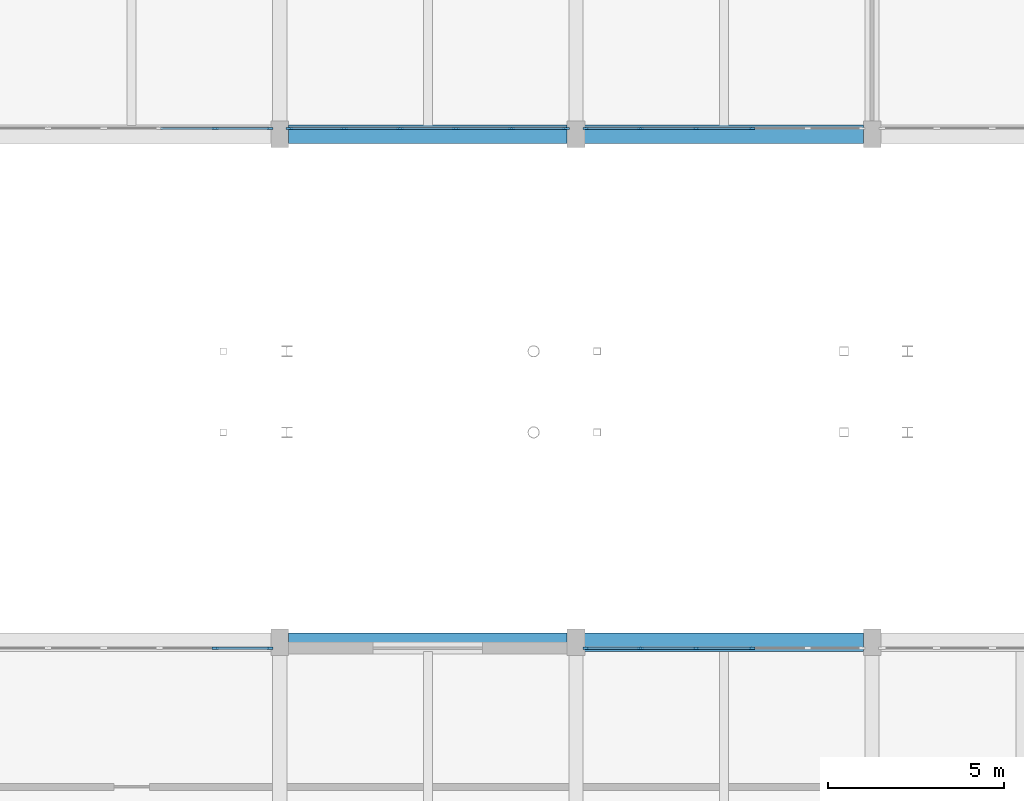
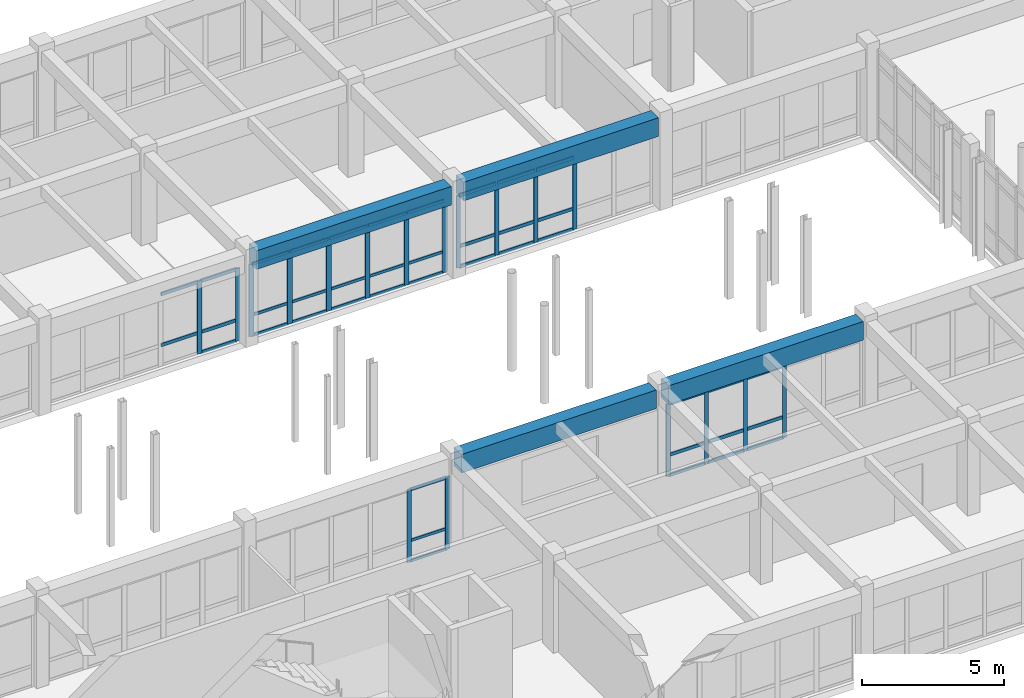
# One storey, part 58 of 147: 59 members, 4 beams, 5 elements without a shape of their own.
"""IFC4 building model written with IfcOpenShell, lengths in metres."""

import ifcopenshell
import ifcopenshell.guid

model = None  # the IFC model being written
_history = None  # IfcOwnerHistory: only IFC2X3 demands one
_inside = {}  # id of a spatial element -> (the spatial element, [elements in it])
_under = {}  # id of a project, library or spatial element -> (it, [spatial elements below it])
_declared = {}  # id of a project -> (the project, [libraries it declares])
_typed = {}  # id of a type object -> (the type object, [elements of that type])
_made_of = {}  # id of a material, layer set ... -> (it, [elements and type objects made of it])


def new_model(schema):
    """Start an empty IFC model of exactly this schema.

    Asked for "IFC4X3", IfcOpenShell would pick the latest addendum, in which some entities
    have other attributes; the version numbers below select the first issue.
    IFC2X3 requires an IfcOwnerHistory on every rooted entity: one is made here for all.
    """
    global model, _history
    if schema == "IFC4X3":
        model = ifcopenshell.file(schema_version=(4, 3, 0, 0))
    else:
        model = ifcopenshell.file(schema=schema)
    _inside.clear()
    _under.clear()
    _declared.clear()
    _typed.clear()
    _made_of.clear()
    _history = None
    if model.schema == "IFC2X3":
        org = make("IfcOrganization", Name="unknown")
        user = make(
            "IfcPersonAndOrganization",
            ThePerson=make("IfcPerson", FamilyName="unknown"),
            TheOrganization=org,
        )
        app = make(
            "IfcApplication",
            ApplicationDeveloper=org,
            Version="unknown",
            ApplicationFullName="unknown",
            ApplicationIdentifier="unknown",
        )
        _history = make(
            "IfcOwnerHistory",
            OwningUser=user,
            OwningApplication=app,
            ChangeAction="ADDED",
            CreationDate=0,
        )
    return model


def make(cls, **values):
    """One entity of the class cls with the attributes given. An attribute that is None is left unset."""
    return model.create_entity(
        cls, **{name: value for name, value in values.items() if value is not None}
    )


def rooted(cls, **values):
    """An entity with a GlobalId (a new one), such as an element, a storey or a relation."""
    return make(cls, GlobalId=ifcopenshell.guid.new(), OwnerHistory=_history, **values)


def si_unit(unit_type, name, prefix=None):
    """IfcSIUnit, for example si_unit("LENGTHUNIT", "METRE", prefix="MILLI")."""
    return make("IfcSIUnit", UnitType=unit_type, Prefix=prefix, Name=name)


def assignment(units):
    """IfcUnitAssignment: the units of a project."""
    return None if units is None else make("IfcUnitAssignment", Units=units)


def point(xyz):
    """IfcCartesianPoint."""
    return None if xyz is None else make("IfcCartesianPoint", Coordinates=xyz)


def direction(xyz):
    """IfcDirection."""
    return None if xyz is None else make("IfcDirection", DirectionRatios=xyz)


def frame(location, z_axis=None, x_axis=None):
    """IfcAxis2Placement3D, a coordinate frame: its origin and axes. An axis left out is left unset."""
    return make(
        "IfcAxis2Placement3D",
        Location=point(location),
        Axis=direction(z_axis),
        RefDirection=direction(x_axis),
    )


def frame_2d(location, x_axis=None):
    """IfcAxis2Placement2D, a coordinate frame in the plane: its origin and x axis."""
    return make(
        "IfcAxis2Placement2D", Location=point(location), RefDirection=direction(x_axis)
    )


def origin():
    """The frame at (0, 0, 0) with its axes left unset."""
    return frame((0.0, 0.0, 0.0))


def origin_2d():
    """The frame at (0, 0) in the plane with its x axis left unset."""
    return frame_2d((0.0, 0.0))


def place(relative_to, where):
    """IfcLocalPlacement: puts the frame where relative to a parent placement (None: the world)."""
    return make(
        "IfcLocalPlacement", PlacementRelTo=relative_to, RelativePlacement=where
    )


def context(
    kind, dimensions, precision=None, world=None, true_north=None, identifier=None
):
    """IfcGeometricRepresentationContext, for example the 3D "Model" context."""
    return make(
        "IfcGeometricRepresentationContext",
        ContextIdentifier=identifier,
        ContextType=kind,
        CoordinateSpaceDimension=dimensions,
        Precision=precision,
        WorldCoordinateSystem=world,
        TrueNorth=true_north,
    )


def subcontext(parent, identifier, kind, view, scale=None):
    """IfcGeometricRepresentationSubContext, for example "Body" below "Model"."""
    return make(
        "IfcGeometricRepresentationSubContext",
        ContextIdentifier=identifier,
        ContextType=kind,
        ParentContext=parent,
        TargetScale=scale,
        TargetView=view,
    )


def project(units=None, contexts=None):
    """IfcProject with its units and contexts."""
    return rooted(
        "IfcProject",
        Name="project",
        RepresentationContexts=contexts,
        UnitsInContext=assignment(units),
    )


def spatial(cls, under=None, at=None, **own):
    """A site, building, storey or space (cls), placed at a placement, below another one or the project."""
    s = rooted(cls, ObjectPlacement=at, **own)
    if under is not None:
        _under.setdefault(under.id(), (under, []))[1].append(s)
    return s


def profile(cls, at=None, kind="AREA", **sizes):
    """A parametric profile (cls). Its sizes go by their IFC names, for example OverallWidth=200.0."""
    return make(cls, ProfileType=kind, Position=at, **sizes)


def rectangle(**sizes):
    """IfcRectangleProfileDef."""
    return profile("IfcRectangleProfileDef", **sizes)


def extrude(swept, where, along, depth):
    """IfcExtrudedAreaSolid: the profile swept, set in the frame where, extruded along a direction by depth."""
    return make(
        "IfcExtrudedAreaSolid",
        SweptArea=swept,
        Position=where,
        ExtrudedDirection=direction(along),
        Depth=depth,
    )


def shape(context_of_items, identifier, shape_type, items):
    """IfcShapeRepresentation: the items that make up one representation, for example the "Body"."""
    return make(
        "IfcShapeRepresentation",
        ContextOfItems=context_of_items,
        RepresentationIdentifier=identifier,
        RepresentationType=shape_type,
        Items=items,
    )


def material(Name=None, Category=None):
    """IfcMaterial."""
    return make("IfcMaterial", Name=Name, Category=Category)


def material_profile(
    of_material, cross_section, Name=None, Category=None, Priority=None
):
    """IfcMaterialProfile: a cross section and its material."""
    return make(
        "IfcMaterialProfile",
        Name=Name,
        Material=of_material,
        Profile=cross_section,
        Priority=Priority,
        Category=Category,
    )


def profile_set(profiles, Name=None, composite=None):
    """IfcMaterialProfileSet."""
    return make(
        "IfcMaterialProfileSet",
        Name=Name,
        MaterialProfiles=profiles,
        CompositeProfile=composite,
    )


def made_of(thing, what):
    """Note that an element or type object is made of a material, layer set ...; save() writes the relation."""
    if what is not None:
        _made_of.setdefault(what.id(), (what, []))[1].append(thing)
    return thing


def type_object(cls, material=None, **own):
    """A type object (cls), such as IfcWallType, which elements share."""
    return made_of(rooted(cls, **own), material)


def element(
    cls,
    number,
    at=None,
    inside=None,
    cuts=None,
    type_object=None,
    material=None,
    context=None,
    identifier="Body",
    shape_type=None,
    held_by="IfcProductDefinitionShape",
    body=None,
    shapes=None,
    **own,
):
    """One element of the class cls, such as IfcWall. Its Tag is "e" and its number.

    at: its placement. inside: the storey or other place that contains it. cuts: it is an
    opening in that element (IfcRelVoidsElement). A single representation is given by context,
    identifier, shape_type and body (its items); several are given by shapes. held_by: the class
    of the entity that holds the representations. save() writes the other relations.
    """
    e = rooted(cls, Tag="e%d" % number, ObjectPlacement=at, **own)
    if body is not None:
        shapes = [shape(context, identifier, shape_type, body)]
    if shapes is not None:
        e.Representation = make(held_by, Representations=shapes)
    if inside is not None:
        _inside.setdefault(inside.id(), (inside, []))[1].append(e)
    if cuts is not None:
        rooted(
            "IfcRelVoidsElement", RelatingBuildingElement=cuts, RelatedOpeningElement=e
        )
    if type_object is not None:
        _typed.setdefault(type_object.id(), (type_object, []))[1].append(e)
    return made_of(e, material)


def aggregate(whole, parts):
    """IfcRelAggregates: a whole, such as a stair, and the parts it consists of."""
    return rooted("IfcRelAggregates", RelatingObject=whole, RelatedObjects=parts)


def save(model, path):
    """Write the relations noted so far, then the file.

    IfcRelAggregates (storeys below a building ...), IfcRelContainedInSpatialStructure (elements
    in a storey), IfcRelDefinesByType, IfcRelAssociatesMaterial and IfcRelDeclares: one each for
    every whole, place, type object, material and project.
    """
    for whole, parts in _under.values():
        aggregate(whole, parts)
    for where, things in _inside.values():
        rooted(
            "IfcRelContainedInSpatialStructure",
            RelatedElements=things,
            RelatingStructure=where,
        )
    for kind, things in _typed.values():
        rooted("IfcRelDefinesByType", RelatedObjects=things, RelatingType=kind)
    for what, things in _made_of.values():
        rooted("IfcRelAssociatesMaterial", RelatedObjects=things, RelatingMaterial=what)
    for by, libraries in _declared.values():
        rooted("IfcRelDeclares", RelatingContext=by, RelatedDefinitions=libraries)
    model.write(path)


model = new_model("IFC4")

# Units and contexts
model_context = context("Model", 3, precision=1e-05, world=origin(), true_north=direction((0.0, 1.0)))
body_context = subcontext(model_context, "Body", "Model", "MODEL_VIEW")
ifc_project = project(units=[si_unit("LENGTHUNIT", "METRE"), si_unit("AREAUNIT", "SQUARE_METRE"), si_unit("VOLUMEUNIT", "CUBIC_METRE"), si_unit("PLANEANGLEUNIT", "RADIAN"), si_unit("MASSUNIT", "GRAM", prefix="KILO")], contexts=[model_context])

# Site, building, storey
site_placement = place(None, origin())
site = spatial("IfcSite", under=ifc_project, at=site_placement, CompositionType="ELEMENT")
building_placement = place(site_placement, origin())
building = spatial("IfcBuilding", under=site, at=building_placement, Name="Malvenik Polytechnic", CompositionType="ELEMENT")
storey_placement = place(building_placement, frame((0.0, 0.0, 5.10009765625)))
storey = spatial("IfcBuildingStorey", under=building, at=storey_placement, Name="L01", CompositionType="ELEMENT", Elevation=5.10009765625)

# Curtain wall, members
ifc_material_1 = material(Name="Anodised aluminium 6060-T6", Category="aluminium")
curtain_wall_type = type_object("IfcCurtainWallType", Name="ARC-CW-CW-02", PredefinedType="NOTDEFINED", material=ifc_material_1)
curtain_wall_1_placement = place(storey_placement, origin())
curtain_wall_1 = element("IfcCurtainWall", 1, at=curtain_wall_1_placement, inside=storey, type_object=curtain_wall_type, Name="Unitised Curtain Wall CW-02 L01 #26", PredefinedType="NOTDEFINED")
ifc_material_2 = material(Name="Anodised aluminium", Category="aluminium")
ifc_material_profile_1 = material_profile(ifc_material_2, rectangle(XDim=0.06005859375, YDim=0.159912109375, at=origin_2d()), Name="ALU MULLION 60x160")
ifc_profile_set_1 = profile_set([ifc_material_profile_1], Name="Anodised aluminium")
member_type_1 = type_object("IfcMemberType", Name="ARC-CWM-160", PredefinedType="MULLION", material=ifc_profile_set_1)
member_1_placement = place(storey_placement, frame((63.790283203125, 79.3701171875, 0.0), z_axis=(0.0, 0.0, 1.0), x_axis=(0.0, -1.0, 0.0)))
member_1 = element("IfcMember", 2, at=member_1_placement, type_object=member_type_1, Name="CW-02 mullion 3", PredefinedType="MULLION", context=body_context, shape_type="SweptSolid", body=[
    extrude(rectangle(XDim=0.06005859375, YDim=0.159912109375, at=origin_2d()), origin(), (0.0, 0.0, 1.0), 3.10986328125),
])
member_2_placement = place(storey_placement, frame((62.209716796875, 79.3701171875, 0.0), z_axis=(0.0, 0.0, 1.0), x_axis=(0.0, -1.0, 0.0)))
member_2 = element("IfcMember", 3, at=member_2_placement, type_object=member_type_1, Name="CW-02 mullion 4", PredefinedType="MULLION", context=body_context, shape_type="SweptSolid", body=[
    extrude(rectangle(XDim=0.06005859375, YDim=0.159912109375, at=origin_2d()), origin(), (0.0, 0.0, 1.0), 3.10986328125),
])
member_3_placement = place(storey_placement, frame((60.62890625, 79.3701171875, 0.0), z_axis=(0.0, 0.0, 1.0), x_axis=(0.0, -1.0, 0.0)))
member_3 = element("IfcMember", 4, at=member_3_placement, type_object=member_type_1, Name="CW-02 mullion 5", PredefinedType="MULLION", context=body_context, shape_type="SweptSolid", body=[
    extrude(rectangle(XDim=0.06005859375, YDim=0.159912109375, at=origin_2d()), origin(), (0.0, 0.0, 1.0), 3.10986328125),
])
member_4_placement = place(storey_placement, frame((59.077880859375, 79.3701171875, 0.0), z_axis=(0.0, 0.0, 1.0), x_axis=(0.0, -1.0, 0.0)))
member_4 = element("IfcMember", 5, at=member_4_placement, type_object=member_type_1, Name="CW-02 mullion 6", PredefinedType="MULLION", context=body_context, shape_type="SweptSolid", body=[
    extrude(rectangle(XDim=0.06005859375, YDim=0.159912109375, at=origin_2d()), origin(), (0.0, 0.0, 1.0), 3.10986328125),
])

curtain_wall_2_placement = place(storey_placement, origin())
curtain_wall_2 = element("IfcCurtainWall", 6, at=curtain_wall_2_placement, inside=storey, type_object=curtain_wall_type, Name="Unitised Curtain Wall CW-02 L01 #128", PredefinedType="NOTDEFINED")
member_5_placement = place(storey_placement, frame((59.077880859375, 64.6298828125, 0.0), z_axis=(0.0, 0.0, 1.0), x_axis=(0.0, 1.0, 0.0)))
member_5 = element("IfcMember", 7, at=member_5_placement, type_object=member_type_1, Name="CW-02 mullion 1", PredefinedType="MULLION", context=body_context, shape_type="SweptSolid", body=[
    extrude(rectangle(XDim=0.06005859375, YDim=0.159912109375, at=origin_2d()), origin(), (0.0, 0.0, 1.0), 3.10986328125),
])
member_6_placement = place(storey_placement, frame((60.62890625, 64.6298828125, 0.0), z_axis=(0.0, 0.0, 1.0), x_axis=(0.0, 1.0, 0.0)))
member_6 = element("IfcMember", 8, at=member_6_placement, type_object=member_type_1, Name="CW-02 mullion 2", PredefinedType="MULLION", context=body_context, shape_type="SweptSolid", body=[
    extrude(rectangle(XDim=0.06005859375, YDim=0.159912109375, at=origin_2d()), origin(), (0.0, 0.0, 1.0), 3.10986328125),
])
member_7_placement = place(storey_placement, frame((62.209716796875, 64.6298828125, 0.0), z_axis=(0.0, 0.0, 1.0), x_axis=(0.0, 1.0, 0.0)))
member_7 = element("IfcMember", 9, at=member_7_placement, type_object=member_type_1, Name="CW-02 mullion 3", PredefinedType="MULLION", context=body_context, shape_type="SweptSolid", body=[
    extrude(rectangle(XDim=0.06005859375, YDim=0.159912109375, at=origin_2d()), origin(), (0.0, 0.0, 1.0), 3.10986328125),
])
member_8_placement = place(storey_placement, frame((63.790283203125, 64.6298828125, 0.0), z_axis=(0.0, 0.0, 1.0), x_axis=(0.0, 1.0, 0.0)))
member_8 = element("IfcMember", 10, at=member_8_placement, type_object=member_type_1, Name="CW-02 mullion 4", PredefinedType="MULLION", context=body_context, shape_type="SweptSolid", body=[
    extrude(rectangle(XDim=0.06005859375, YDim=0.159912109375, at=origin_2d()), origin(), (0.0, 0.0, 1.0), 3.10986328125),
])

curtain_wall_3_placement = place(storey_placement, origin())
curtain_wall_3 = element("IfcCurtainWall", 11, at=curtain_wall_3_placement, inside=storey, type_object=curtain_wall_type, Name="Unitised Curtain Wall CW-02 L01 #28", PredefinedType="NOTDEFINED")
ifc_material_profile_2 = material_profile(ifc_material_2, rectangle(XDim=0.06005859375, YDim=0.179931640625, at=origin_2d()), Name="ALU MULLION 60x180")
ifc_profile_set_2 = profile_set([ifc_material_profile_2], Name="Anodised aluminium")
member_type_2 = type_object("IfcMemberType", Name="ARC-CWM-180", PredefinedType="MULLION", material=ifc_profile_set_2)
member_9_placement = place(storey_placement, frame((50.1220703125, 79.3701171875, 0.0), z_axis=(0.0, 0.0, 1.0), x_axis=(0.0, -1.0, 0.0)))
member_9 = element("IfcMember", 12, at=member_9_placement, type_object=member_type_2, Name="CW-02 mullion 1", PredefinedType="MULLION", context=body_context, shape_type="SweptSolid", body=[
    extrude(rectangle(XDim=0.06005859375, YDim=0.179931640625, at=origin_2d()), origin(), (0.0, 0.0, 1.0), 3.10986328125),
])
member_10_placement = place(storey_placement, frame((48.5712890625, 79.3701171875, 0.0), z_axis=(0.0, 0.0, 1.0), x_axis=(0.0, -1.0, 0.0)))
member_10 = element("IfcMember", 13, at=member_10_placement, type_object=member_type_2, Name="CW-02 mullion 2", PredefinedType="MULLION", context=body_context, shape_type="SweptSolid", body=[
    extrude(rectangle(XDim=0.06005859375, YDim=0.179931640625, at=origin_2d()), origin(), (0.0, 0.0, 1.0), 3.10986328125),
])

curtain_wall_4_placement = place(storey_placement, origin())
curtain_wall_4 = element("IfcCurtainWall", 14, at=curtain_wall_4_placement, inside=storey, type_object=curtain_wall_type, Name="Unitised Curtain Wall CW-02 L01 #127", PredefinedType="NOTDEFINED")
member_11_placement = place(storey_placement, frame((48.5712890625, 64.6298828125, 0.0), z_axis=(0.0, 0.0, 1.0), x_axis=(0.0, 1.0, 0.0)))
member_11 = element("IfcMember", 15, at=member_11_placement, type_object=member_type_2, Name="CW-02 mullion 5", PredefinedType="MULLION", context=body_context, shape_type="SweptSolid", body=[
    extrude(rectangle(XDim=0.06005859375, YDim=0.179931640625, at=origin_2d()), origin(), (0.0, 0.0, 1.0), 3.10986328125),
])
member_12_placement = place(storey_placement, frame((50.1220703125, 64.6298828125, 0.0), z_axis=(0.0, 0.0, 1.0), x_axis=(0.0, 1.0, 0.0)))
member_12 = element("IfcMember", 16, at=member_12_placement, type_object=member_type_2, Name="CW-02 mullion 6", PredefinedType="MULLION", context=body_context, shape_type="SweptSolid", body=[
    extrude(rectangle(XDim=0.06005859375, YDim=0.179931640625, at=origin_2d()), origin(), (0.0, 0.0, 1.0), 3.10986328125),
])

curtain_wall_5_placement = place(storey_placement, origin())
curtain_wall_5 = element("IfcCurtainWall", 17, at=curtain_wall_5_placement, inside=storey, type_object=curtain_wall_type, Name="Unitised Curtain Wall CW-02 L01 #27", PredefinedType="NOTDEFINED")
ifc_material_profile_3 = material_profile(ifc_material_2, rectangle(XDim=0.06005859375, YDim=0.199951171875, at=origin_2d()), Name="ALU MULLION 60x200")
ifc_profile_set_3 = profile_set([ifc_material_profile_3], Name="Anodised aluminium")
member_type_3 = type_object("IfcMemberType", Name="ARC-CWM-200", PredefinedType="MULLION", material=ifc_profile_set_3)
member_13_placement = place(storey_placement, frame((58.52197265625, 79.3701171875, 0.0), z_axis=(0.0, 0.0, 1.0), x_axis=(0.0, -1.0, 0.0)))
member_13 = element("IfcMember", 18, at=member_13_placement, type_object=member_type_3, Name="CW-02 mullion 1", PredefinedType="MULLION", context=body_context, shape_type="SweptSolid", body=[
    extrude(rectangle(XDim=0.06005859375, YDim=0.199951171875, at=origin_2d()), origin(), (0.0, 0.0, 1.0), 3.10986328125),
])
member_14_placement = place(storey_placement, frame((56.97119140625, 79.3701171875, 0.0), z_axis=(0.0, 0.0, 1.0), x_axis=(0.0, -1.0, 0.0)))
member_14 = element("IfcMember", 19, at=member_14_placement, type_object=member_type_3, Name="CW-02 mullion 2", PredefinedType="MULLION", context=body_context, shape_type="SweptSolid", body=[
    extrude(rectangle(XDim=0.06005859375, YDim=0.199951171875, at=origin_2d()), origin(), (0.0, 0.0, 1.0), 3.10986328125),
])
member_15_placement = place(storey_placement, frame((55.390380859375, 79.3701171875, 0.0), z_axis=(0.0, 0.0, 1.0), x_axis=(0.0, -1.0, 0.0)))
member_15 = element("IfcMember", 20, at=member_15_placement, type_object=member_type_3, Name="CW-02 mullion 3", PredefinedType="MULLION", context=body_context, shape_type="SweptSolid", body=[
    extrude(rectangle(XDim=0.06005859375, YDim=0.199951171875, at=origin_2d()), origin(), (0.0, 0.0, 1.0), 3.10986328125),
])
member_16_placement = place(storey_placement, frame((53.8095703125, 79.3701171875, 0.0), z_axis=(0.0, 0.0, 1.0), x_axis=(0.0, -1.0, 0.0)))
member_16 = element("IfcMember", 21, at=member_16_placement, type_object=member_type_3, Name="CW-02 mullion 4", PredefinedType="MULLION", context=body_context, shape_type="SweptSolid", body=[
    extrude(rectangle(XDim=0.06005859375, YDim=0.199951171875, at=origin_2d()), origin(), (0.0, 0.0, 1.0), 3.10986328125),
])
member_17_placement = place(storey_placement, frame((52.228759765625, 79.3701171875, 0.0), z_axis=(0.0, 0.0, 1.0), x_axis=(0.0, -1.0, 0.0)))
member_17 = element("IfcMember", 22, at=member_17_placement, type_object=member_type_3, Name="CW-02 mullion 5", PredefinedType="MULLION", context=body_context, shape_type="SweptSolid", body=[
    extrude(rectangle(XDim=0.06005859375, YDim=0.199951171875, at=origin_2d()), origin(), (0.0, 0.0, 1.0), 3.10986328125),
])
member_18_placement = place(storey_placement, frame((50.677978515625, 79.3701171875, 0.0), z_axis=(0.0, 0.0, 1.0), x_axis=(0.0, -1.0, 0.0)))
member_18 = element("IfcMember", 23, at=member_18_placement, type_object=member_type_3, Name="CW-02 mullion 6", PredefinedType="MULLION", context=body_context, shape_type="SweptSolid", body=[
    extrude(rectangle(XDim=0.06005859375, YDim=0.199951171875, at=origin_2d()), origin(), (0.0, 0.0, 1.0), 3.10986328125),
])
ifc_material_profile_4 = material_profile(ifc_material_2, rectangle(XDim=0.06005859375, YDim=0.1201171875, at=origin_2d()), Name="ALU TRANSOM 60x120")
ifc_profile_set_4 = profile_set([ifc_material_profile_4], Name="Anodised aluminium")
member_type_4 = type_object("IfcMemberType", Name="ARC-CWT-120", PredefinedType="USERDEFINED", material=ifc_profile_set_4)
member_19_placement = place(storey_placement, frame((58.491943359375, 79.3701171875, 0.02978515625), z_axis=(-1.0, 0.0, 0.0), x_axis=(0.0, -1.0, 0.0)))
member_19 = element("IfcMember", 24, at=member_19_placement, type_object=member_type_4, Name="CW-02 transom 1.1", ObjectType="TRANSOM", PredefinedType="USERDEFINED", context=body_context, shape_type="SweptSolid", body=[
    extrude(rectangle(XDim=0.06005859375, YDim=0.1201171875, at=origin_2d()), origin(), (0.0, 0.0, 1.0), 1.49072265625),
])
member_20_placement = place(storey_placement, frame((58.491943359375, 79.3701171875, 0.89990234375), z_axis=(-1.0, 0.0, 0.0), x_axis=(0.0, -1.0, 0.0)))
member_20 = element("IfcMember", 25, at=member_20_placement, type_object=member_type_4, Name="CW-02 transom 1.2", ObjectType="TRANSOM", PredefinedType="USERDEFINED", context=body_context, shape_type="SweptSolid", body=[
    extrude(rectangle(XDim=0.06005859375, YDim=0.1201171875, at=origin_2d()), origin(), (0.0, 0.0, 1.0), 1.49072265625),
])
member_21_placement = place(storey_placement, frame((58.491943359375, 79.3701171875, 3.079833984375), z_axis=(-1.0, 0.0, 0.0), x_axis=(0.0, -1.0, 0.0)))
member_21 = element("IfcMember", 26, at=member_21_placement, type_object=member_type_4, Name="CW-02 transom 1.3", ObjectType="TRANSOM", PredefinedType="USERDEFINED", context=body_context, shape_type="SweptSolid", body=[
    extrude(rectangle(XDim=0.06005859375, YDim=0.1201171875, at=origin_2d()), origin(), (0.0, 0.0, 1.0), 1.49072265625),
])
member_22_placement = place(storey_placement, frame((56.941162109375, 79.3701171875, 0.02978515625), z_axis=(-1.0, 0.0, 0.0), x_axis=(0.0, -1.0, 0.0)))
member_22 = element("IfcMember", 27, at=member_22_placement, type_object=member_type_4, Name="CW-02 transom 2.1", ObjectType="TRANSOM", PredefinedType="USERDEFINED", context=body_context, shape_type="SweptSolid", body=[
    extrude(rectangle(XDim=0.06005859375, YDim=0.1201171875, at=origin_2d()), origin(), (0.0, 0.0, 1.0), 1.520751953125),
])
member_23_placement = place(storey_placement, frame((56.941162109375, 79.3701171875, 0.89990234375), z_axis=(-1.0, 0.0, 0.0), x_axis=(0.0, -1.0, 0.0)))
member_23 = element("IfcMember", 28, at=member_23_placement, type_object=member_type_4, Name="CW-02 transom 2.2", ObjectType="TRANSOM", PredefinedType="USERDEFINED", context=body_context, shape_type="SweptSolid", body=[
    extrude(rectangle(XDim=0.06005859375, YDim=0.1201171875, at=origin_2d()), origin(), (0.0, 0.0, 1.0), 1.520751953125),
])
member_24_placement = place(storey_placement, frame((56.941162109375, 79.3701171875, 3.079833984375), z_axis=(-1.0, 0.0, 0.0), x_axis=(0.0, -1.0, 0.0)))
member_24 = element("IfcMember", 29, at=member_24_placement, type_object=member_type_4, Name="CW-02 transom 2.3", ObjectType="TRANSOM", PredefinedType="USERDEFINED", context=body_context, shape_type="SweptSolid", body=[
    extrude(rectangle(XDim=0.06005859375, YDim=0.1201171875, at=origin_2d()), origin(), (0.0, 0.0, 1.0), 1.520751953125),
])
member_25_placement = place(storey_placement, frame((55.3603515625, 79.3701171875, 0.02978515625), z_axis=(-1.0, 0.0, 0.0), x_axis=(0.0, -1.0, 0.0)))
member_25 = element("IfcMember", 30, at=member_25_placement, type_object=member_type_4, Name="CW-02 transom 3.1", ObjectType="TRANSOM", PredefinedType="USERDEFINED", context=body_context, shape_type="SweptSolid", body=[
    extrude(rectangle(XDim=0.06005859375, YDim=0.1201171875, at=origin_2d()), origin(), (0.0, 0.0, 1.0), 1.520751953125),
])
member_26_placement = place(storey_placement, frame((55.3603515625, 79.3701171875, 0.89990234375), z_axis=(-1.0, 0.0, 0.0), x_axis=(0.0, -1.0, 0.0)))
member_26 = element("IfcMember", 31, at=member_26_placement, type_object=member_type_4, Name="CW-02 transom 3.2", ObjectType="TRANSOM", PredefinedType="USERDEFINED", context=body_context, shape_type="SweptSolid", body=[
    extrude(rectangle(XDim=0.06005859375, YDim=0.1201171875, at=origin_2d()), origin(), (0.0, 0.0, 1.0), 1.520751953125),
])
member_27_placement = place(storey_placement, frame((55.3603515625, 79.3701171875, 3.079833984375), z_axis=(-1.0, 0.0, 0.0), x_axis=(0.0, -1.0, 0.0)))
member_27 = element("IfcMember", 32, at=member_27_placement, type_object=member_type_4, Name="CW-02 transom 3.3", ObjectType="TRANSOM", PredefinedType="USERDEFINED", context=body_context, shape_type="SweptSolid", body=[
    extrude(rectangle(XDim=0.06005859375, YDim=0.1201171875, at=origin_2d()), origin(), (0.0, 0.0, 1.0), 1.520751953125),
])
member_28_placement = place(storey_placement, frame((53.779541015625, 79.3701171875, 0.02978515625), z_axis=(-1.0, 0.0, 0.0), x_axis=(0.0, -1.0, 0.0)))
member_28 = element("IfcMember", 33, at=member_28_placement, type_object=member_type_4, Name="CW-02 transom 4.1", ObjectType="TRANSOM", PredefinedType="USERDEFINED", context=body_context, shape_type="SweptSolid", body=[
    extrude(rectangle(XDim=0.06005859375, YDim=0.1201171875, at=origin_2d()), origin(), (0.0, 0.0, 1.0), 1.520751953125),
])
member_29_placement = place(storey_placement, frame((53.779541015625, 79.3701171875, 0.89990234375), z_axis=(-1.0, 0.0, 0.0), x_axis=(0.0, -1.0, 0.0)))
member_29 = element("IfcMember", 34, at=member_29_placement, type_object=member_type_4, Name="CW-02 transom 4.2", ObjectType="TRANSOM", PredefinedType="USERDEFINED", context=body_context, shape_type="SweptSolid", body=[
    extrude(rectangle(XDim=0.06005859375, YDim=0.1201171875, at=origin_2d()), origin(), (0.0, 0.0, 1.0), 1.520751953125),
])
member_30_placement = place(storey_placement, frame((53.779541015625, 79.3701171875, 3.079833984375), z_axis=(-1.0, 0.0, 0.0), x_axis=(0.0, -1.0, 0.0)))
member_30 = element("IfcMember", 35, at=member_30_placement, type_object=member_type_4, Name="CW-02 transom 4.3", ObjectType="TRANSOM", PredefinedType="USERDEFINED", context=body_context, shape_type="SweptSolid", body=[
    extrude(rectangle(XDim=0.06005859375, YDim=0.1201171875, at=origin_2d()), origin(), (0.0, 0.0, 1.0), 1.520751953125),
])
member_31_placement = place(storey_placement, frame((52.19873046875, 79.3701171875, 0.02978515625), z_axis=(-1.0, 0.0, 0.0), x_axis=(0.0, -1.0, 0.0)))
member_31 = element("IfcMember", 36, at=member_31_placement, type_object=member_type_4, Name="CW-02 transom 5.1", ObjectType="TRANSOM", PredefinedType="USERDEFINED", context=body_context, shape_type="SweptSolid", body=[
    extrude(rectangle(XDim=0.06005859375, YDim=0.1201171875, at=origin_2d()), origin(), (0.0, 0.0, 1.0), 1.49072265625),
])
member_32_placement = place(storey_placement, frame((52.19873046875, 79.3701171875, 0.89990234375), z_axis=(-1.0, 0.0, 0.0), x_axis=(0.0, -1.0, 0.0)))
member_32 = element("IfcMember", 37, at=member_32_placement, type_object=member_type_4, Name="CW-02 transom 5.2", ObjectType="TRANSOM", PredefinedType="USERDEFINED", context=body_context, shape_type="SweptSolid", body=[
    extrude(rectangle(XDim=0.06005859375, YDim=0.1201171875, at=origin_2d()), origin(), (0.0, 0.0, 1.0), 1.49072265625),
])
member_33_placement = place(storey_placement, frame((52.19873046875, 79.3701171875, 3.079833984375), z_axis=(-1.0, 0.0, 0.0), x_axis=(0.0, -1.0, 0.0)))
member_33 = element("IfcMember", 38, at=member_33_placement, type_object=member_type_4, Name="CW-02 transom 5.3", ObjectType="TRANSOM", PredefinedType="USERDEFINED", context=body_context, shape_type="SweptSolid", body=[
    extrude(rectangle(XDim=0.06005859375, YDim=0.1201171875, at=origin_2d()), origin(), (0.0, 0.0, 1.0), 1.49072265625),
])
aggregate(curtain_wall_5, [member_13, member_14, member_15, member_16, member_17, member_18, member_19, member_20, member_21, member_22, member_23, member_24, member_25, member_26, member_27, member_28, member_29, member_30, member_31, member_32, member_33])

# Member
member_34_placement = place(storey_placement, frame((48.601318359375, 64.6298828125, 0.02978515625), z_axis=(1.0, 0.0, 0.0), x_axis=(0.0, 1.0, 0.0)))
member_34 = element("IfcMember", 39, at=member_34_placement, type_object=member_type_4, Name="CW-02 transom 5.1", ObjectType="TRANSOM", PredefinedType="USERDEFINED", context=body_context, shape_type="SweptSolid", body=[
    extrude(rectangle(XDim=0.06005859375, YDim=0.1201171875, at=origin_2d()), origin(), (0.0, 0.0, 1.0), 1.49072265625),
])

member_35_placement = place(storey_placement, frame((48.601318359375, 64.6298828125, 0.89990234375), z_axis=(1.0, 0.0, 0.0), x_axis=(0.0, 1.0, 0.0)))
member_35 = element("IfcMember", 40, at=member_35_placement, type_object=member_type_4, Name="CW-02 transom 5.2", ObjectType="TRANSOM", PredefinedType="USERDEFINED", context=body_context, shape_type="SweptSolid", body=[
    extrude(rectangle(XDim=0.06005859375, YDim=0.1201171875, at=origin_2d()), origin(), (0.0, 0.0, 1.0), 1.49072265625),
])

member_36_placement = place(storey_placement, frame((48.601318359375, 64.6298828125, 3.079833984375), z_axis=(1.0, 0.0, 0.0), x_axis=(0.0, 1.0, 0.0)))
member_36 = element("IfcMember", 41, at=member_36_placement, type_object=member_type_4, Name="CW-02 transom 5.3", ObjectType="TRANSOM", PredefinedType="USERDEFINED", context=body_context, shape_type="SweptSolid", body=[
    extrude(rectangle(XDim=0.06005859375, YDim=0.1201171875, at=origin_2d()), origin(), (0.0, 0.0, 1.0), 1.49072265625),
])

aggregate(curtain_wall_4, [member_11, member_12, member_34, member_35, member_36])

ifc_material_profile_5 = material_profile(ifc_material_2, rectangle(XDim=0.06005859375, YDim=0.139892578125, at=origin_2d()), Name="ALU TRANSOM 60x140")
ifc_profile_set_5 = profile_set([ifc_material_profile_5], Name="Anodised aluminium")
member_type_5 = type_object("IfcMemberType", Name="ARC-CWT-140", PredefinedType="USERDEFINED", material=ifc_profile_set_5)
member_37_placement = place(storey_placement, frame((63.760498046875, 79.3701171875, 0.02978515625), z_axis=(-1.0, 0.0, 0.0), x_axis=(0.0, -1.0, 0.0)))
member_37 = element("IfcMember", 42, at=member_37_placement, type_object=member_type_5, Name="CW-02 transom 3.1", ObjectType="TRANSOM", PredefinedType="USERDEFINED", context=body_context, shape_type="SweptSolid", body=[
    extrude(rectangle(XDim=0.06005859375, YDim=0.139892578125, at=origin_2d()), origin(), (0.0, 0.0, 1.0), 1.52099609375),
])

member_38_placement = place(storey_placement, frame((63.760498046875, 79.3701171875, 0.89990234375), z_axis=(-1.0, 0.0, 0.0), x_axis=(0.0, -1.0, 0.0)))
member_38 = element("IfcMember", 43, at=member_38_placement, type_object=member_type_5, Name="CW-02 transom 3.2", ObjectType="TRANSOM", PredefinedType="USERDEFINED", context=body_context, shape_type="SweptSolid", body=[
    extrude(rectangle(XDim=0.06005859375, YDim=0.139892578125, at=origin_2d()), origin(), (0.0, 0.0, 1.0), 1.52099609375),
])

member_39_placement = place(storey_placement, frame((63.760498046875, 79.3701171875, 3.079833984375), z_axis=(-1.0, 0.0, 0.0), x_axis=(0.0, -1.0, 0.0)))
member_39 = element("IfcMember", 44, at=member_39_placement, type_object=member_type_5, Name="CW-02 transom 3.3", ObjectType="TRANSOM", PredefinedType="USERDEFINED", context=body_context, shape_type="SweptSolid", body=[
    extrude(rectangle(XDim=0.06005859375, YDim=0.139892578125, at=origin_2d()), origin(), (0.0, 0.0, 1.0), 1.52099609375),
])

member_40_placement = place(storey_placement, frame((62.1796875, 79.3701171875, 0.02978515625), z_axis=(-1.0, 0.0, 0.0), x_axis=(0.0, -1.0, 0.0)))
member_40 = element("IfcMember", 45, at=member_40_placement, type_object=member_type_5, Name="CW-02 transom 4.1", ObjectType="TRANSOM", PredefinedType="USERDEFINED", context=body_context, shape_type="SweptSolid", body=[
    extrude(rectangle(XDim=0.06005859375, YDim=0.139892578125, at=origin_2d()), origin(), (0.0, 0.0, 1.0), 1.52099609375),
])

member_41_placement = place(storey_placement, frame((62.1796875, 79.3701171875, 0.89990234375), z_axis=(-1.0, 0.0, 0.0), x_axis=(0.0, -1.0, 0.0)))
member_41 = element("IfcMember", 46, at=member_41_placement, type_object=member_type_5, Name="CW-02 transom 4.2", ObjectType="TRANSOM", PredefinedType="USERDEFINED", context=body_context, shape_type="SweptSolid", body=[
    extrude(rectangle(XDim=0.06005859375, YDim=0.139892578125, at=origin_2d()), origin(), (0.0, 0.0, 1.0), 1.52099609375),
])

member_42_placement = place(storey_placement, frame((62.1796875, 79.3701171875, 3.079833984375), z_axis=(-1.0, 0.0, 0.0), x_axis=(0.0, -1.0, 0.0)))
member_42 = element("IfcMember", 47, at=member_42_placement, type_object=member_type_5, Name="CW-02 transom 4.3", ObjectType="TRANSOM", PredefinedType="USERDEFINED", context=body_context, shape_type="SweptSolid", body=[
    extrude(rectangle(XDim=0.06005859375, YDim=0.139892578125, at=origin_2d()), origin(), (0.0, 0.0, 1.0), 1.52099609375),
])

member_43_placement = place(storey_placement, frame((60.598876953125, 79.3701171875, 0.02978515625), z_axis=(-1.0, 0.0, 0.0), x_axis=(0.0, -1.0, 0.0)))
member_43 = element("IfcMember", 48, at=member_43_placement, type_object=member_type_5, Name="CW-02 transom 5.1", ObjectType="TRANSOM", PredefinedType="USERDEFINED", context=body_context, shape_type="SweptSolid", body=[
    extrude(rectangle(XDim=0.06005859375, YDim=0.139892578125, at=origin_2d()), origin(), (0.0, 0.0, 1.0), 1.490966796875),
])

member_44_placement = place(storey_placement, frame((60.598876953125, 79.3701171875, 0.89990234375), z_axis=(-1.0, 0.0, 0.0), x_axis=(0.0, -1.0, 0.0)))
member_44 = element("IfcMember", 49, at=member_44_placement, type_object=member_type_5, Name="CW-02 transom 5.2", ObjectType="TRANSOM", PredefinedType="USERDEFINED", context=body_context, shape_type="SweptSolid", body=[
    extrude(rectangle(XDim=0.06005859375, YDim=0.139892578125, at=origin_2d()), origin(), (0.0, 0.0, 1.0), 1.490966796875),
])

member_45_placement = place(storey_placement, frame((60.598876953125, 79.3701171875, 3.079833984375), z_axis=(-1.0, 0.0, 0.0), x_axis=(0.0, -1.0, 0.0)))
member_45 = element("IfcMember", 50, at=member_45_placement, type_object=member_type_5, Name="CW-02 transom 5.3", ObjectType="TRANSOM", PredefinedType="USERDEFINED", context=body_context, shape_type="SweptSolid", body=[
    extrude(rectangle(XDim=0.06005859375, YDim=0.139892578125, at=origin_2d()), origin(), (0.0, 0.0, 1.0), 1.490966796875),
])

aggregate(curtain_wall_1, [member_1, member_2, member_3, member_4, member_37, member_38, member_39, member_40, member_41, member_42, member_43, member_44, member_45])

member_46_placement = place(storey_placement, frame((50.092041015625, 79.3701171875, 0.02978515625), z_axis=(-1.0, 0.0, 0.0), x_axis=(0.0, -1.0, 0.0)))
member_46 = element("IfcMember", 51, at=member_46_placement, type_object=member_type_5, Name="CW-02 transom 1.1", ObjectType="TRANSOM", PredefinedType="USERDEFINED", context=body_context, shape_type="SweptSolid", body=[
    extrude(rectangle(XDim=0.06005859375, YDim=0.139892578125, at=origin_2d()), origin(), (0.0, 0.0, 1.0), 1.49072265625),
])

member_47_placement = place(storey_placement, frame((50.092041015625, 79.3701171875, 0.89990234375), z_axis=(-1.0, 0.0, 0.0), x_axis=(0.0, -1.0, 0.0)))
member_47 = element("IfcMember", 52, at=member_47_placement, type_object=member_type_5, Name="CW-02 transom 1.2", ObjectType="TRANSOM", PredefinedType="USERDEFINED", context=body_context, shape_type="SweptSolid", body=[
    extrude(rectangle(XDim=0.06005859375, YDim=0.139892578125, at=origin_2d()), origin(), (0.0, 0.0, 1.0), 1.49072265625),
])

member_48_placement = place(storey_placement, frame((50.092041015625, 79.3701171875, 3.079833984375), z_axis=(-1.0, 0.0, 0.0), x_axis=(0.0, -1.0, 0.0)))
member_48 = element("IfcMember", 53, at=member_48_placement, type_object=member_type_5, Name="CW-02 transom 1.3", ObjectType="TRANSOM", PredefinedType="USERDEFINED", context=body_context, shape_type="SweptSolid", body=[
    extrude(rectangle(XDim=0.06005859375, YDim=0.139892578125, at=origin_2d()), origin(), (0.0, 0.0, 1.0), 1.49072265625),
])

member_49_placement = place(storey_placement, frame((48.541259765625, 79.3701171875, 0.89990234375), z_axis=(-1.0, 0.0, 0.0), x_axis=(0.0, -1.0, 0.0)))
member_49 = element("IfcMember", 54, at=member_49_placement, type_object=member_type_5, Name="CW-02 transom 2.2", ObjectType="TRANSOM", PredefinedType="USERDEFINED", context=body_context, shape_type="SweptSolid", body=[
    extrude(rectangle(XDim=0.06005859375, YDim=0.139892578125, at=origin_2d()), origin(), (0.0, 0.0, 1.0), 1.520751953125),
])

member_50_placement = place(storey_placement, frame((48.541259765625, 79.3701171875, 3.079833984375), z_axis=(-1.0, 0.0, 0.0), x_axis=(0.0, -1.0, 0.0)))
member_50 = element("IfcMember", 55, at=member_50_placement, type_object=member_type_5, Name="CW-02 transom 2.3", ObjectType="TRANSOM", PredefinedType="USERDEFINED", context=body_context, shape_type="SweptSolid", body=[
    extrude(rectangle(XDim=0.06005859375, YDim=0.139892578125, at=origin_2d()), origin(), (0.0, 0.0, 1.0), 1.520751953125),
])

aggregate(curtain_wall_3, [member_9, member_10, member_46, member_47, member_48, member_49, member_50])

member_51_placement = place(storey_placement, frame((59.10791015625, 64.6298828125, 0.02978515625), z_axis=(1.0, 0.0, 0.0), x_axis=(0.0, 1.0, 0.0)))
member_51 = element("IfcMember", 56, at=member_51_placement, type_object=member_type_5, Name="CW-02 transom 1.1", ObjectType="TRANSOM", PredefinedType="USERDEFINED", context=body_context, shape_type="SweptSolid", body=[
    extrude(rectangle(XDim=0.06005859375, YDim=0.139892578125, at=origin_2d()), origin(), (0.0, 0.0, 1.0), 1.490966796875),
])

member_52_placement = place(storey_placement, frame((59.10791015625, 64.6298828125, 0.89990234375), z_axis=(1.0, 0.0, 0.0), x_axis=(0.0, 1.0, 0.0)))
member_52 = element("IfcMember", 57, at=member_52_placement, type_object=member_type_5, Name="CW-02 transom 1.2", ObjectType="TRANSOM", PredefinedType="USERDEFINED", context=body_context, shape_type="SweptSolid", body=[
    extrude(rectangle(XDim=0.06005859375, YDim=0.139892578125, at=origin_2d()), origin(), (0.0, 0.0, 1.0), 1.490966796875),
])

member_53_placement = place(storey_placement, frame((59.10791015625, 64.6298828125, 3.079833984375), z_axis=(1.0, 0.0, 0.0), x_axis=(0.0, 1.0, 0.0)))
member_53 = element("IfcMember", 58, at=member_53_placement, type_object=member_type_5, Name="CW-02 transom 1.3", ObjectType="TRANSOM", PredefinedType="USERDEFINED", context=body_context, shape_type="SweptSolid", body=[
    extrude(rectangle(XDim=0.06005859375, YDim=0.139892578125, at=origin_2d()), origin(), (0.0, 0.0, 1.0), 1.490966796875),
])

member_54_placement = place(storey_placement, frame((60.65869140625, 64.6298828125, 0.02978515625), z_axis=(1.0, 0.0, 0.0), x_axis=(0.0, 1.0, 0.0)))
member_54 = element("IfcMember", 59, at=member_54_placement, type_object=member_type_5, Name="CW-02 transom 2.1", ObjectType="TRANSOM", PredefinedType="USERDEFINED", context=body_context, shape_type="SweptSolid", body=[
    extrude(rectangle(XDim=0.06005859375, YDim=0.139892578125, at=origin_2d()), origin(), (0.0, 0.0, 1.0), 1.52099609375),
])

member_55_placement = place(storey_placement, frame((60.65869140625, 64.6298828125, 0.89990234375), z_axis=(1.0, 0.0, 0.0), x_axis=(0.0, 1.0, 0.0)))
member_55 = element("IfcMember", 60, at=member_55_placement, type_object=member_type_5, Name="CW-02 transom 2.2", ObjectType="TRANSOM", PredefinedType="USERDEFINED", context=body_context, shape_type="SweptSolid", body=[
    extrude(rectangle(XDim=0.06005859375, YDim=0.139892578125, at=origin_2d()), origin(), (0.0, 0.0, 1.0), 1.52099609375),
])

member_56_placement = place(storey_placement, frame((60.65869140625, 64.6298828125, 3.079833984375), z_axis=(1.0, 0.0, 0.0), x_axis=(0.0, 1.0, 0.0)))
member_56 = element("IfcMember", 61, at=member_56_placement, type_object=member_type_5, Name="CW-02 transom 2.3", ObjectType="TRANSOM", PredefinedType="USERDEFINED", context=body_context, shape_type="SweptSolid", body=[
    extrude(rectangle(XDim=0.06005859375, YDim=0.139892578125, at=origin_2d()), origin(), (0.0, 0.0, 1.0), 1.52099609375),
])

member_57_placement = place(storey_placement, frame((62.239501953125, 64.6298828125, 0.02978515625), z_axis=(1.0, 0.0, 0.0), x_axis=(0.0, 1.0, 0.0)))
member_57 = element("IfcMember", 62, at=member_57_placement, type_object=member_type_5, Name="CW-02 transom 3.1", ObjectType="TRANSOM", PredefinedType="USERDEFINED", context=body_context, shape_type="SweptSolid", body=[
    extrude(rectangle(XDim=0.06005859375, YDim=0.139892578125, at=origin_2d()), origin(), (0.0, 0.0, 1.0), 1.52099609375),
])

member_58_placement = place(storey_placement, frame((62.239501953125, 64.6298828125, 0.89990234375), z_axis=(1.0, 0.0, 0.0), x_axis=(0.0, 1.0, 0.0)))
member_58 = element("IfcMember", 63, at=member_58_placement, type_object=member_type_5, Name="CW-02 transom 3.2", ObjectType="TRANSOM", PredefinedType="USERDEFINED", context=body_context, shape_type="SweptSolid", body=[
    extrude(rectangle(XDim=0.06005859375, YDim=0.139892578125, at=origin_2d()), origin(), (0.0, 0.0, 1.0), 1.52099609375),
])

member_59_placement = place(storey_placement, frame((62.239501953125, 64.6298828125, 3.079833984375), z_axis=(1.0, 0.0, 0.0), x_axis=(0.0, 1.0, 0.0)))
member_59 = element("IfcMember", 64, at=member_59_placement, type_object=member_type_5, Name="CW-02 transom 3.3", ObjectType="TRANSOM", PredefinedType="USERDEFINED", context=body_context, shape_type="SweptSolid", body=[
    extrude(rectangle(XDim=0.06005859375, YDim=0.139892578125, at=origin_2d()), origin(), (0.0, 0.0, 1.0), 1.52099609375),
])

aggregate(curtain_wall_2, [member_5, member_6, member_7, member_8, member_51, member_52, member_53, member_54, member_55, member_56, member_57, member_58, member_59])

# Beams
ifc_material_3 = material(Name="Precast concrete C40/50", Category="concrete")
ifc_material_profile_6 = material_profile(ifc_material_3, rectangle(XDim=0.52001953125, YDim=0.800048828125, at=origin_2d()), Name="PC SPN 520x800")
ifc_profile_set_6 = profile_set([ifc_material_profile_6], Name="Precast concrete C40/50")
beam_type = type_object("IfcBeamType", Name="STR-BM-SP-01", PredefinedType="SPANDREL", material=ifc_profile_set_6)
beam_1_placement = place(storey_placement, frame((50.64794921875, 64.800048828125, 3.52001953125), z_axis=(1.0, 0.0, 0.0), x_axis=(0.0, 1.0, 0.0)))
element("IfcBeam", 65, at=beam_1_placement, inside=storey, type_object=beam_type, Name="Primary Beam SP-01 L01 #1031", PredefinedType="SPANDREL", context=body_context, shape_type="SweptSolid", body=[
    extrude(rectangle(XDim=0.52001953125, YDim=0.800048828125, at=origin_2d()), origin(), (0.0, 0.0, 1.0), 7.904052734375),
])
beam_2_placement = place(storey_placement, frame((59.048095703125, 64.800048828125, 3.52001953125), z_axis=(1.0, 0.0, 0.0), x_axis=(0.0, 1.0, 0.0)))
element("IfcBeam", 66, at=beam_2_placement, inside=storey, type_object=beam_type, Name="Primary Beam SP-01 L01 #1032", PredefinedType="SPANDREL", context=body_context, shape_type="SweptSolid", body=[
    extrude(rectangle(XDim=0.52001953125, YDim=0.800048828125, at=origin_2d()), origin(), (0.0, 0.0, 1.0), 7.90380859375),
])
beam_3_placement = place(storey_placement, frame((50.64794921875, 79.199951171875, 3.52001953125), z_axis=(1.0, 0.0, 0.0), x_axis=(0.0, 1.0, 0.0)))
element("IfcBeam", 67, at=beam_3_placement, inside=storey, type_object=beam_type, Name="Primary Beam SP-01 L01 #1047", PredefinedType="SPANDREL", context=body_context, shape_type="SweptSolid", body=[
    extrude(rectangle(XDim=0.52001953125, YDim=0.800048828125, at=origin_2d()), origin(), (0.0, 0.0, 1.0), 7.904052734375),
])
beam_4_placement = place(storey_placement, frame((59.048095703125, 79.199951171875, 3.52001953125), z_axis=(1.0, 0.0, 0.0), x_axis=(0.0, 1.0, 0.0)))
element("IfcBeam", 68, at=beam_4_placement, inside=storey, type_object=beam_type, Name="Primary Beam SP-01 L01 #1048", PredefinedType="SPANDREL", context=body_context, shape_type="SweptSolid", body=[
    extrude(rectangle(XDim=0.52001953125, YDim=0.800048828125, at=origin_2d()), origin(), (0.0, 0.0, 1.0), 7.90380859375),
])

save(model, "model.ifc")
